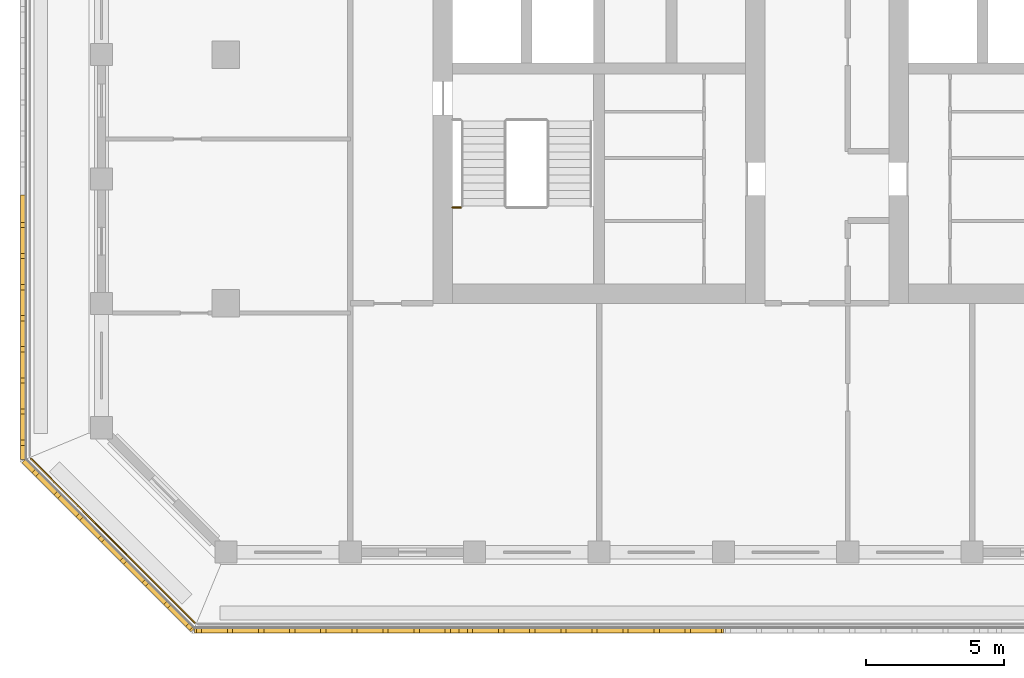
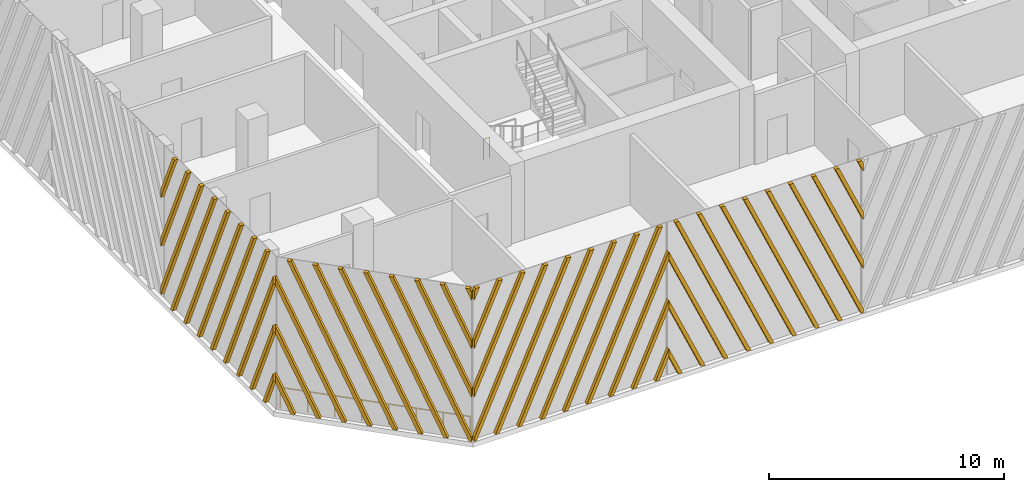
# One storey, part 8 of 15: 4 shading devices, 2 railings.
"""IFC4 building model written with IfcOpenShell, lengths in metres."""

from ifc_helpers import new_model, si_unit, direction, frame, origin, origin_2d, place, context, subcontext, project, spatial, polyline, circle, outline, extrude, source, transform, mapped, material, type_object, element, save


model = new_model("IFC4")

# Units and contexts
model_context = context("Model", 3, precision=1e-05, world=origin(), true_north=direction((0.0, 1.0)))
body_context = subcontext(model_context, "Body", "Model", "MODEL_VIEW")
ifc_project = project(units=[si_unit("LENGTHUNIT", "METRE"), si_unit("AREAUNIT", "SQUARE_METRE"), si_unit("VOLUMEUNIT", "CUBIC_METRE"), si_unit("PLANEANGLEUNIT", "RADIAN"), si_unit("MASSUNIT", "GRAM", prefix="KILO")], contexts=[model_context])

# Site, building, storey
site_placement = place(None, origin())
site = spatial("IfcSite", under=ifc_project, at=site_placement, CompositionType="ELEMENT")
building_placement = place(site_placement, origin())
building = spatial("IfcBuilding", under=site, at=building_placement, Name="Corbel Stack Research Tower", CompositionType="ELEMENT")
storey_placement = place(building_placement, frame((0.0, 0.0, 282.699951171875)))
storey = spatial("IfcBuildingStorey", under=building, at=storey_placement, Name="L64", CompositionType="ELEMENT", Elevation=282.699951171875)

# Railings
ifc_material_1 = material(Name="Steel S355", Category="steel")
railing_type_1 = type_object("IfcRailingType", Name="Stair guard 1100", PredefinedType="GUARDRAIL", material=ifc_material_1)
railing_1_placement = place(storey_placement, frame((-9.800048828125, -5.530029296875, 2.050048828125)))
element("IfcRailing", 1, at=railing_1_placement, inside=storey, type_object=railing_type_1, Name="L64 ST-W1 stair guard 3", PredefinedType="GUARDRAIL", context=body_context, shape_type="SweptSolid", body=[
    extrude(circle(Radius=0.02392578125, at=origin_2d()), frame((0.0, 0.0, 1.076171875), z_axis=(1.0, 0.0, 0.0), x_axis=(0.0, 1.0, 0.0)), (0.0, 0.0, 1.0), 0.300048828125),
    extrude(circle(Radius=0.02099609375, at=origin_2d()), origin(), (0.0, 0.0, 1.0), 1.052001953125),
    extrude(circle(Radius=0.02099609375, at=origin_2d()), frame((0.300048828125, 0.0, 0.0)), (0.0, 0.0, 1.0), 1.052001953125),
])
ifc_material_2 = material(Name="Powder-coated steel guard", Category="steel")
railing_type_2 = type_object("IfcRailingType", Name="Steel and glass guard 1100", PredefinedType="GUARDRAIL", material=ifc_material_2)
railing_2_placement = place(storey_placement, frame((-25.04931640625, -14.627685546875, 0.0)))
element("IfcRailing", 2, at=railing_2_placement, inside=storey, type_object=railing_type_2, Name="Loggia guard L64 SW", PredefinedType="GUARDRAIL", context=body_context, shape_type="SweptSolid", body=[
    extrude(circle(Radius=0.02392578125, at=origin_2d()), frame((0.0, 0.0, 1.076171875), z_axis=(0.707106781187, -0.707106781187, 0.0), x_axis=(0.707106781187, 0.707106781187, 0.0)), (0.0, 0.0, 1.0), 8.37451171875),
    extrude(circle(Radius=0.02099609375, at=origin_2d()), origin(), (0.0, 0.0, 1.0), 1.052001953125),
    extrude(circle(Radius=0.02099609375, at=origin_2d()), frame((0.845947265625, -0.845947265625, 0.0)), (0.0, 0.0, 1.0), 1.052001953125),
    extrude(circle(Radius=0.02099609375, at=origin_2d()), frame((1.69189453125, -1.69189453125, 0.0)), (0.0, 0.0, 1.0), 1.052001953125),
    extrude(circle(Radius=0.02099609375, at=origin_2d()), frame((2.537841796875, -2.537841796875, 0.0)), (0.0, 0.0, 1.0), 1.052001953125),
    extrude(circle(Radius=0.02099609375, at=origin_2d()), frame((3.3837890625, -3.3837890625, 0.0)), (0.0, 0.0, 1.0), 1.052001953125),
    extrude(circle(Radius=0.02099609375, at=origin_2d()), frame((4.229736328125, -4.229736328125, 0.0)), (0.0, 0.0, 1.0), 1.052001953125),
    extrude(circle(Radius=0.02099609375, at=origin_2d()), frame((5.07568359375, -5.07568359375, 0.0)), (0.0, 0.0, 1.0), 1.052001953125),
    extrude(circle(Radius=0.02099609375, at=origin_2d()), frame((5.921630859375, -5.921630859375, 0.0)), (0.0, 0.0, 1.0), 1.052001953125),
])

# Shading devices
ifc_material_3 = material(Name="Precast terracotta", Category="masonry")
shading_device_type = type_object("IfcShadingDeviceType", Name="Terracotta screen panel", PredefinedType="USERDEFINED", material=ifc_material_3)
shared_shape_1 = source(origin(), body_context, "Body", "SweptSolid", [
    extrude(outline(polyline([(0.259521484375, 7.949951171875), (0.069580078125, 7.949951171875), (0.0, 7.793701171875), (0.0, 7.366943359375), (0.259521484375, 7.949951171875)])), frame((0.0, 0.0, 0.0), z_axis=(0.0, -1.0, 0.0), x_axis=(1.0, 0.0, 0.0)), (0.0, 0.0, 1.0), 0.179931640625),
    extrude(outline(polyline([(1.384521484375, 7.949951171875), (1.194580078125, 7.949951171875), (0.0, 5.26708984375), (0.0, 4.840087890625), (1.384521484375, 7.949951171875)])), frame((0.0, 0.0, 0.0), z_axis=(0.0, -1.0, 0.0), x_axis=(1.0, 0.0, 0.0)), (0.0, 0.0, 1.0), 0.179931640625),
    extrude(outline(polyline([(2.509521484375, 7.949951171875), (2.319580078125, 7.949951171875), (0.0, 2.740234375), (0.0, 2.3134765625), (2.509521484375, 7.949951171875)])), frame((0.0, 0.0, 0.0), z_axis=(0.0, -1.0, 0.0), x_axis=(1.0, 0.0, 0.0)), (0.0, 0.0, 1.0), 0.179931640625),
    extrude(outline(polyline([(0.094970703125, 0.0), (3.634521484375, 7.949951171875), (3.444580078125, 7.949951171875), (0.0, 0.21337890625), (0.0, 0.0), (0.094970703125, 0.0)])), frame((0.0, 0.0, 0.0), z_axis=(0.0, -1.0, 0.0), x_axis=(1.0, 0.0, 0.0)), (0.0, 0.0, 1.0), 0.179931640625),
    extrude(outline(polyline([(1.219970703125, 0.0), (4.759521484375, 7.949951171875), (4.569580078125, 7.949951171875), (1.030029296875, 0.0), (1.219970703125, 0.0)])), frame((0.0, 0.0, 0.0), z_axis=(0.0, -1.0, 0.0), x_axis=(1.0, 0.0, 0.0)), (0.0, 0.0, 1.0), 0.179931640625),
    extrude(outline(polyline([(2.344970703125, 0.0), (5.884521484375, 7.949951171875), (5.694580078125, 7.949951171875), (2.155029296875, 0.0), (2.344970703125, 0.0)])), frame((0.0, 0.0, 0.0), z_axis=(0.0, -1.0, 0.0), x_axis=(1.0, 0.0, 0.0)), (0.0, 0.0, 1.0), 0.179931640625),
    extrude(outline(polyline([(3.469970703125, 0.0), (7.009521484375, 7.949951171875), (6.819580078125, 7.949951171875), (3.280029296875, 0.0), (3.469970703125, 0.0)])), frame((0.0, 0.0, 0.0), z_axis=(0.0, -1.0, 0.0), x_axis=(1.0, 0.0, 0.0)), (0.0, 0.0, 1.0), 0.179931640625),
    extrude(outline(polyline([(4.594970703125, 0.0), (8.134521484375, 7.949951171875), (7.944580078125, 7.949951171875), (4.405029296875, 0.0), (4.594970703125, 0.0)])), frame((0.0, 0.0, 0.0), z_axis=(0.0, -1.0, 0.0), x_axis=(1.0, 0.0, 0.0)), (0.0, 0.0, 1.0), 0.179931640625),
    extrude(outline(polyline([(5.719970703125, 0.0), (9.259521484375, 7.949951171875), (9.069580078125, 7.949951171875), (5.530029296875, 0.0), (5.719970703125, 0.0)])), frame((0.0, 0.0, 0.0), z_axis=(0.0, -1.0, 0.0), x_axis=(1.0, 0.0, 0.0)), (0.0, 0.0, 1.0), 0.179931640625),
    extrude(outline(polyline([(6.844970703125, 0.0), (9.569580078125, 6.119384765625), (9.569580078125, 6.546142578125), (6.655029296875, 0.0), (6.844970703125, 0.0)])), frame((0.0, 0.0, 0.0), z_axis=(0.0, -1.0, 0.0), x_axis=(1.0, 0.0, 0.0)), (0.0, 0.0, 1.0), 0.179931640625),
    extrude(outline(polyline([(7.969970703125, 0.0), (9.569580078125, 3.592529296875), (9.569580078125, 4.019287109375), (7.780029296875, 0.0), (7.969970703125, 0.0)])), frame((0.0, 0.0, 0.0), z_axis=(0.0, -1.0, 0.0), x_axis=(1.0, 0.0, 0.0)), (0.0, 0.0, 1.0), 0.179931640625),
    extrude(outline(polyline([(9.094970703125, 0.0), (9.569580078125, 1.06591796875), (9.569580078125, 1.49267578125), (8.905029296875, 0.0), (9.094970703125, 0.0)])), frame((0.0, 0.0, 0.0), z_axis=(0.0, -1.0, 0.0), x_axis=(1.0, 0.0, 0.0)), (0.0, 0.0, 1.0), 0.179931640625),
])
shading_device_1_placement = place(storey_placement, frame((-19.13916015625, -20.75, 0.0), z_axis=(0.0, 0.0, 1.0), x_axis=(1.0, 0.0, 0.0)))
element("IfcShadingDevice", 3, at=shading_device_1_placement, inside=storey, type_object=shading_device_type, Name="Terracotta screen L64 S1", ObjectType="SCREEN", PredefinedType="USERDEFINED", context=body_context, shape_type="MappedRepresentation", body=[
    mapped(shared_shape_1, transform((0.0, 0.0, 0.0))),
])
shared_shape_2 = source(origin(), body_context, "Body", "SweptSolid", [
    extrude(outline(polyline([(0.66455078125, 0.0), (0.0, 1.49267578125), (0.0, 1.06591796875), (0.474609375, 0.0), (0.66455078125, 0.0)])), frame((0.0, 0.0, 0.0), z_axis=(0.0, -1.0, 0.0), x_axis=(1.0, 0.0, 0.0)), (0.0, 0.0, 1.0), 0.179931640625),
    extrude(outline(polyline([(1.78955078125, 0.0), (0.0, 4.019287109375), (0.0, 3.592529296875), (1.599609375, 0.0), (1.78955078125, 0.0)])), frame((0.0, 0.0, 0.0), z_axis=(0.0, -1.0, 0.0), x_axis=(1.0, 0.0, 0.0)), (0.0, 0.0, 1.0), 0.179931640625),
    extrude(outline(polyline([(2.91455078125, 0.0), (0.0, 6.546142578125), (0.0, 6.119384765625), (2.724609375, 0.0), (2.91455078125, 0.0)])), frame((0.0, 0.0, 0.0), z_axis=(0.0, -1.0, 0.0), x_axis=(1.0, 0.0, 0.0)), (0.0, 0.0, 1.0), 0.179931640625),
    extrude(outline(polyline([(4.03955078125, 0.0), (0.5, 7.949951171875), (0.31005859375, 7.949951171875), (3.849609375, 0.0), (4.03955078125, 0.0)])), frame((0.0, 0.0, 0.0), z_axis=(0.0, -1.0, 0.0), x_axis=(1.0, 0.0, 0.0)), (0.0, 0.0, 1.0), 0.179931640625),
    extrude(outline(polyline([(5.16455078125, 0.0), (1.625, 7.949951171875), (1.43505859375, 7.949951171875), (4.974609375, 0.0), (5.16455078125, 0.0)])), frame((0.0, 0.0, 0.0), z_axis=(0.0, -1.0, 0.0), x_axis=(1.0, 0.0, 0.0)), (0.0, 0.0, 1.0), 0.179931640625),
    extrude(outline(polyline([(6.28955078125, 0.0), (2.75, 7.949951171875), (2.56005859375, 7.949951171875), (6.099609375, 0.0), (6.28955078125, 0.0)])), frame((0.0, 0.0, 0.0), z_axis=(0.0, -1.0, 0.0), x_axis=(1.0, 0.0, 0.0)), (0.0, 0.0, 1.0), 0.179931640625),
    extrude(outline(polyline([(7.41455078125, 0.0), (3.875, 7.949951171875), (3.68505859375, 7.949951171875), (7.224609375, 0.0), (7.41455078125, 0.0)])), frame((0.0, 0.0, 0.0), z_axis=(0.0, -1.0, 0.0), x_axis=(1.0, 0.0, 0.0)), (0.0, 0.0, 1.0), 0.179931640625),
    extrude(outline(polyline([(8.53955078125, 0.0), (5.0, 7.949951171875), (4.81005859375, 7.949951171875), (8.349609375, 0.0), (8.53955078125, 0.0)])), frame((0.0, 0.0, 0.0), z_axis=(0.0, -1.0, 0.0), x_axis=(1.0, 0.0, 0.0)), (0.0, 0.0, 1.0), 0.179931640625),
    extrude(outline(polyline([(9.569580078125, 0.0), (9.569580078125, 0.21337890625), (6.125, 7.949951171875), (5.93505859375, 7.949951171875), (9.474609375, 0.0), (9.569580078125, 0.0)])), frame((0.0, 0.0, 0.0), z_axis=(0.0, -1.0, 0.0), x_axis=(1.0, 0.0, 0.0)), (0.0, 0.0, 1.0), 0.179931640625),
    extrude(outline(polyline([(7.25, 7.949951171875), (7.06005859375, 7.949951171875), (9.569580078125, 2.3134765625), (9.569580078125, 2.740234375), (7.25, 7.949951171875)])), frame((0.0, 0.0, 0.0), z_axis=(0.0, -1.0, 0.0), x_axis=(1.0, 0.0, 0.0)), (0.0, 0.0, 1.0), 0.179931640625),
    extrude(outline(polyline([(8.375, 7.949951171875), (8.18505859375, 7.949951171875), (9.569580078125, 4.840087890625), (9.569580078125, 5.26708984375), (8.375, 7.949951171875)])), frame((0.0, 0.0, 0.0), z_axis=(0.0, -1.0, 0.0), x_axis=(1.0, 0.0, 0.0)), (0.0, 0.0, 1.0), 0.179931640625),
    extrude(outline(polyline([(9.5, 7.949951171875), (9.31005859375, 7.949951171875), (9.569580078125, 7.366943359375), (9.569580078125, 7.793701171875), (9.5, 7.949951171875)])), frame((0.0, 0.0, 0.0), z_axis=(0.0, -1.0, 0.0), x_axis=(1.0, 0.0, 0.0)), (0.0, 0.0, 1.0), 0.179931640625),
])
shading_device_2_placement = place(storey_placement, frame((-9.569580078125, -20.75, 0.0), z_axis=(0.0, 0.0, 1.0), x_axis=(1.0, 0.0, 0.0)))
element("IfcShadingDevice", 4, at=shading_device_2_placement, inside=storey, type_object=shading_device_type, Name="Terracotta screen L64 S2", ObjectType="SCREEN", PredefinedType="USERDEFINED", context=body_context, shape_type="MappedRepresentation", body=[
    mapped(shared_shape_2, transform((0.0, 0.0, 0.0))),
])
shared_shape_3 = source(origin(), body_context, "Body", "SweptSolid", [
    extrude(outline(polyline([(0.862060546875, 0.0), (0.0, 1.936279296875), (0.0, 1.509521484375), (0.672119140625, 0.0), (0.862060546875, 0.0)])), frame((0.0, 0.0, 0.0), z_axis=(0.0, -1.0, 0.0), x_axis=(1.0, 0.0, 0.0)), (0.0, 0.0, 1.0), 0.179931640625),
    extrude(outline(polyline([(1.987060546875, 0.0), (0.0, 4.463134765625), (0.0, 4.036376953125), (1.797119140625, 0.0), (1.987060546875, 0.0)])), frame((0.0, 0.0, 0.0), z_axis=(0.0, -1.0, 0.0), x_axis=(1.0, 0.0, 0.0)), (0.0, 0.0, 1.0), 0.179931640625),
    extrude(outline(polyline([(3.112060546875, 0.0), (0.0, 6.989990234375), (0.0, 6.563232421875), (2.922119140625, 0.0), (3.112060546875, 0.0)])), frame((0.0, 0.0, 0.0), z_axis=(0.0, -1.0, 0.0), x_axis=(1.0, 0.0, 0.0)), (0.0, 0.0, 1.0), 0.179931640625),
    extrude(outline(polyline([(4.237060546875, 0.0), (0.697509765625, 7.949951171875), (0.507568359375, 7.949951171875), (4.047119140625, 0.0), (4.237060546875, 0.0)])), frame((0.0, 0.0, 0.0), z_axis=(0.0, -1.0, 0.0), x_axis=(1.0, 0.0, 0.0)), (0.0, 0.0, 1.0), 0.179931640625),
    extrude(outline(polyline([(5.362060546875, 0.0), (1.822509765625, 7.949951171875), (1.632568359375, 7.949951171875), (5.172119140625, 0.0), (5.362060546875, 0.0)])), frame((0.0, 0.0, 0.0), z_axis=(0.0, -1.0, 0.0), x_axis=(1.0, 0.0, 0.0)), (0.0, 0.0, 1.0), 0.179931640625),
    extrude(outline(polyline([(6.487060546875, 0.0), (2.947509765625, 7.949951171875), (2.757568359375, 7.949951171875), (6.297119140625, 0.0), (6.487060546875, 0.0)])), frame((0.0, 0.0, 0.0), z_axis=(0.0, -1.0, 0.0), x_axis=(1.0, 0.0, 0.0)), (0.0, 0.0, 1.0), 0.179931640625),
    extrude(outline(polyline([(7.612060546875, 0.0), (4.072509765625, 7.949951171875), (3.882568359375, 7.949951171875), (7.422119140625, 0.0), (7.612060546875, 0.0)])), frame((0.0, 0.0, 0.0), z_axis=(0.0, -1.0, 0.0), x_axis=(1.0, 0.0, 0.0)), (0.0, 0.0, 1.0), 0.179931640625),
    extrude(outline(polyline([(8.64208984375, 0.0), (8.64208984375, 0.21337890625), (5.197509765625, 7.949951171875), (5.007568359375, 7.949951171875), (8.547119140625, 0.0), (8.64208984375, 0.0)])), frame((0.0, 0.0, 0.0), z_axis=(0.0, -1.0, 0.0), x_axis=(1.0, 0.0, 0.0)), (0.0, 0.0, 1.0), 0.179931640625),
    extrude(outline(polyline([(6.322509765625, 7.949951171875), (6.132568359375, 7.949951171875), (8.64208984375, 2.3134765625), (8.64208984375, 2.740234375), (6.322509765625, 7.949951171875)])), frame((0.0, 0.0, 0.0), z_axis=(0.0, -1.0, 0.0), x_axis=(1.0, 0.0, 0.0)), (0.0, 0.0, 1.0), 0.179931640625),
    extrude(outline(polyline([(7.447509765625, 7.949951171875), (7.257568359375, 7.949951171875), (8.64208984375, 4.840087890625), (8.64208984375, 5.26708984375), (7.447509765625, 7.949951171875)])), frame((0.0, 0.0, 0.0), z_axis=(0.0, -1.0, 0.0), x_axis=(1.0, 0.0, 0.0)), (0.0, 0.0, 1.0), 0.179931640625),
    extrude(outline(polyline([(8.572509765625, 7.949951171875), (8.382568359375, 7.949951171875), (8.64208984375, 7.366943359375), (8.64208984375, 7.793701171875), (8.572509765625, 7.949951171875)])), frame((0.0, 0.0, 0.0), z_axis=(0.0, -1.0, 0.0), x_axis=(1.0, 0.0, 0.0)), (0.0, 0.0, 1.0), 0.179931640625),
])
shading_device_3_placement = place(storey_placement, frame((-25.25, -14.63916015625, 0.0), z_axis=(0.0, 0.0, 1.0), x_axis=(0.707106781187, -0.707106781187, 0.0)))
element("IfcShadingDevice", 5, at=shading_device_3_placement, inside=storey, type_object=shading_device_type, Name="Terracotta screen L64 SW1", ObjectType="SCREEN", PredefinedType="USERDEFINED", context=body_context, shape_type="MappedRepresentation", body=[
    mapped(shared_shape_3, transform((0.0, 0.0, 0.0))),
])
shared_shape_4 = source(origin(), body_context, "Body", "SweptSolid", [
    extrude(outline(polyline([(1.18701171875, 7.949951171875), (0.9970703125, 7.949951171875), (0.0, 5.710693359375), (0.0, 5.283935546875), (1.18701171875, 7.949951171875)])), frame((0.0, 0.0, 0.0), z_axis=(0.0, -1.0, 0.0), x_axis=(1.0, 0.0, 0.0)), (0.0, 0.0, 1.0), 0.179931640625),
    extrude(outline(polyline([(2.31201171875, 7.949951171875), (2.1220703125, 7.949951171875), (0.0, 3.18408203125), (0.0, 2.757080078125), (2.31201171875, 7.949951171875)])), frame((0.0, 0.0, 0.0), z_axis=(0.0, -1.0, 0.0), x_axis=(1.0, 0.0, 0.0)), (0.0, 0.0, 1.0), 0.179931640625),
    extrude(outline(polyline([(3.43701171875, 7.949951171875), (3.2470703125, 7.949951171875), (0.0, 0.6572265625), (0.0, 0.23046875), (3.43701171875, 7.949951171875)])), frame((0.0, 0.0, 0.0), z_axis=(0.0, -1.0, 0.0), x_axis=(1.0, 0.0, 0.0)), (0.0, 0.0, 1.0), 0.179931640625),
    extrude(outline(polyline([(1.0224609375, 0.0), (4.56201171875, 7.949951171875), (4.3720703125, 7.949951171875), (0.83251953125, 0.0), (1.0224609375, 0.0)])), frame((0.0, 0.0, 0.0), z_axis=(0.0, -1.0, 0.0), x_axis=(1.0, 0.0, 0.0)), (0.0, 0.0, 1.0), 0.179931640625),
    extrude(outline(polyline([(2.1474609375, 0.0), (5.68701171875, 7.949951171875), (5.4970703125, 7.949951171875), (1.95751953125, 0.0), (2.1474609375, 0.0)])), frame((0.0, 0.0, 0.0), z_axis=(0.0, -1.0, 0.0), x_axis=(1.0, 0.0, 0.0)), (0.0, 0.0, 1.0), 0.179931640625),
    extrude(outline(polyline([(3.2724609375, 0.0), (6.81201171875, 7.949951171875), (6.6220703125, 7.949951171875), (3.08251953125, 0.0), (3.2724609375, 0.0)])), frame((0.0, 0.0, 0.0), z_axis=(0.0, -1.0, 0.0), x_axis=(1.0, 0.0, 0.0)), (0.0, 0.0, 1.0), 0.179931640625),
    extrude(outline(polyline([(4.3974609375, 0.0), (7.93701171875, 7.949951171875), (7.7470703125, 7.949951171875), (4.20751953125, 0.0), (4.3974609375, 0.0)])), frame((0.0, 0.0, 0.0), z_axis=(0.0, -1.0, 0.0), x_axis=(1.0, 0.0, 0.0)), (0.0, 0.0, 1.0), 0.179931640625),
    extrude(outline(polyline([(5.5224609375, 0.0), (9.06201171875, 7.949951171875), (8.8720703125, 7.949951171875), (5.33251953125, 0.0), (5.5224609375, 0.0)])), frame((0.0, 0.0, 0.0), z_axis=(0.0, -1.0, 0.0), x_axis=(1.0, 0.0, 0.0)), (0.0, 0.0, 1.0), 0.179931640625),
    extrude(outline(polyline([(6.6474609375, 0.0), (9.569580078125, 6.563232421875), (9.569580078125, 6.989990234375), (6.45751953125, 0.0), (6.6474609375, 0.0)])), frame((0.0, 0.0, 0.0), z_axis=(0.0, -1.0, 0.0), x_axis=(1.0, 0.0, 0.0)), (0.0, 0.0, 1.0), 0.179931640625),
    extrude(outline(polyline([(7.7724609375, 0.0), (9.569580078125, 4.036376953125), (9.569580078125, 4.463134765625), (7.58251953125, 0.0), (7.7724609375, 0.0)])), frame((0.0, 0.0, 0.0), z_axis=(0.0, -1.0, 0.0), x_axis=(1.0, 0.0, 0.0)), (0.0, 0.0, 1.0), 0.179931640625),
    extrude(outline(polyline([(8.8974609375, 0.0), (9.569580078125, 1.509521484375), (9.569580078125, 1.936279296875), (8.70751953125, 0.0), (8.8974609375, 0.0)])), frame((0.0, 0.0, 0.0), z_axis=(0.0, -1.0, 0.0), x_axis=(1.0, 0.0, 0.0)), (0.0, 0.0, 1.0), 0.179931640625),
])
shading_device_4_placement = place(storey_placement, frame((-25.25, -5.069580078125, 0.0), z_axis=(0.0, 0.0, 1.0), x_axis=(0.0, -1.0, 0.0)))
element("IfcShadingDevice", 6, at=shading_device_4_placement, inside=storey, type_object=shading_device_type, Name="Terracotta screen L64 W4", ObjectType="SCREEN", PredefinedType="USERDEFINED", context=body_context, shape_type="MappedRepresentation", body=[
    mapped(shared_shape_4, transform((0.0, 0.0, 0.0))),
])

save(model, "model.ifc")
